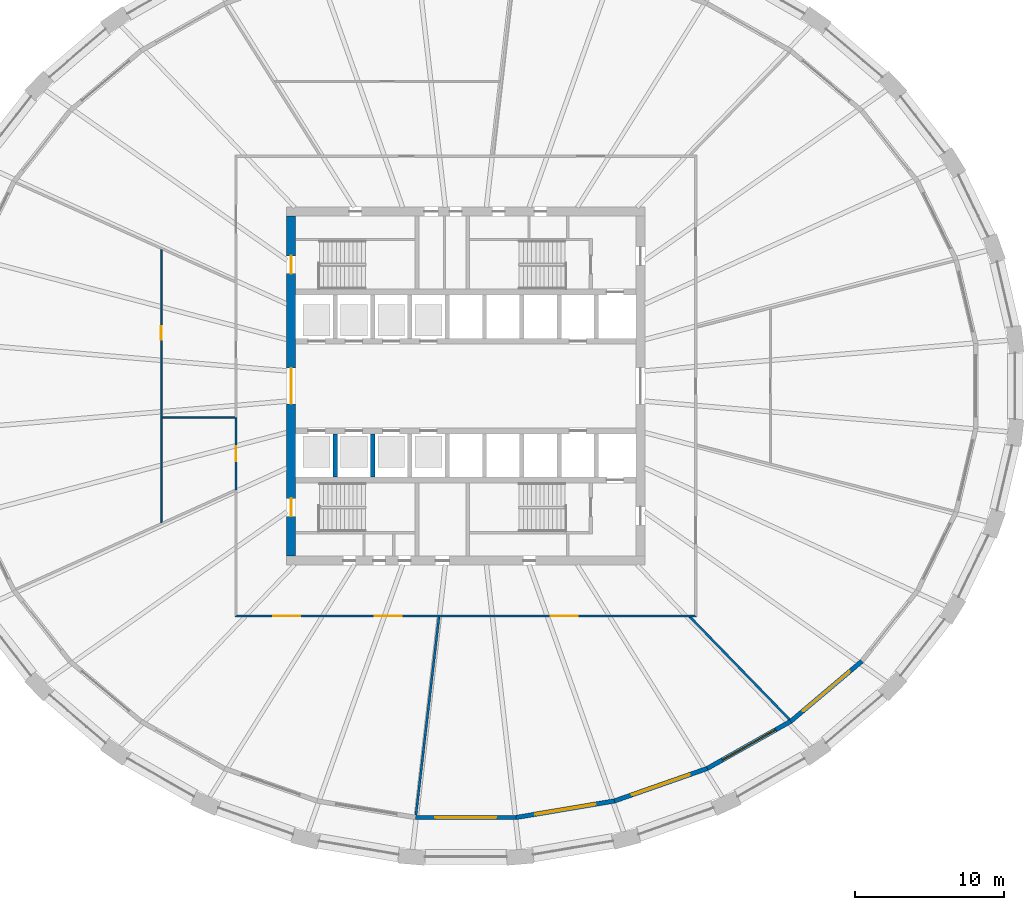
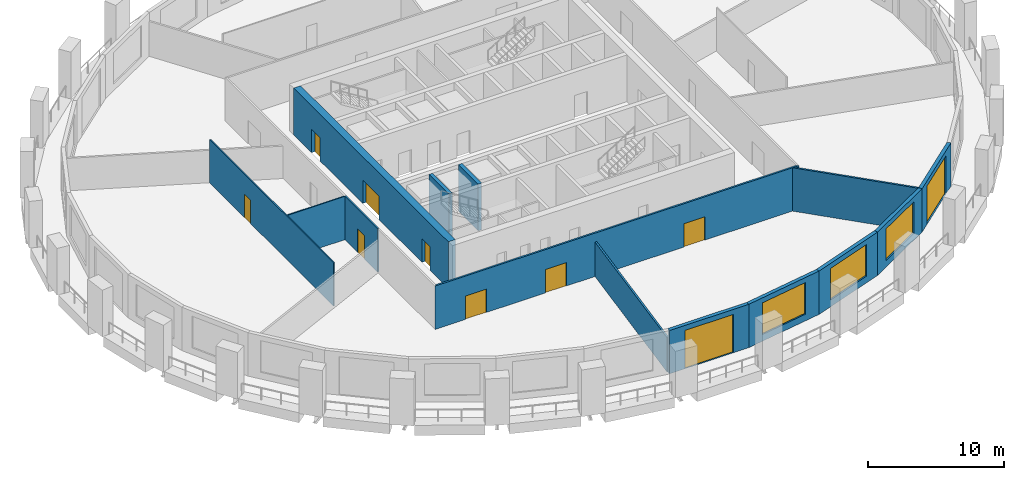
# One storey, part 3 of 10: 14 walls, 10 doors, 3 windows, 13 openings.
"""IFC4 building model written with IfcOpenShell, lengths in metres."""

from ifc_helpers import new_model, si_unit, direction, frame, frame_2d, origin, place, context, subcontext, project, spatial, polyline, rectangle, outline, extrude, material, layer, layer_set, type_object, element, fill, save


model = new_model("IFC4")

# Units and contexts
model_context = context("Model", 3, precision=1e-05, world=origin(), true_north=direction((0.0, 1.0)))
body_context = subcontext(model_context, "Body", "Model", "MODEL_VIEW")
ifc_project = project(units=[si_unit("LENGTHUNIT", "METRE"), si_unit("AREAUNIT", "SQUARE_METRE"), si_unit("VOLUMEUNIT", "CUBIC_METRE"), si_unit("PLANEANGLEUNIT", "RADIAN"), si_unit("MASSUNIT", "GRAM", prefix="KILO")], contexts=[model_context])

# Site, building, storey
site_placement = place(None, origin())
site = spatial("IfcSite", under=ifc_project, at=site_placement, CompositionType="ELEMENT")
building_placement = place(site_placement, origin())
building = spatial("IfcBuilding", under=site, at=building_placement, Name="Halqa Exchange Tower", CompositionType="ELEMENT")
storey_placement = place(building_placement, frame((0.0, 0.0, 61.300048828125)))
storey = spatial("IfcBuildingStorey", under=building, at=storey_placement, Name="L13", CompositionType="ELEMENT", Elevation=61.300048828125)

# Wall, openings, doors
ifc_material_1 = material(Name="Fire-rated gypsum board")
ifc_layer_1 = layer(ifc_material_1, 0.14990234375)
ifc_layer_set_1 = layer_set([ifc_layer_1], Name="Fire-rated gypsum board")
wall_type_1 = type_object("IfcWallType", Name="Fire partition EI 60 150", PredefinedType="PARTITIONING", material=ifc_layer_set_1)
wall_1_placement = place(storey_placement, frame((-15.47509765625, -15.39990234375, 0.0), z_axis=(0.0, 0.0, 1.0), x_axis=(1.0, 0.0, 0.0)))
wall_1 = element("IfcWall", 1, at=wall_1_placement, inside=storey, type_object=wall_type_1, Name="L13-PWL-007", PredefinedType="PARTITIONING", context=body_context, shape_type="SweptSolid", body=[
    extrude(outline(polyline([(0.000244140625, -0.074951171875), (1.9345703125, -0.074951171875), (3.868896484375, -0.074951171875), (5.80322265625, -0.074951171875), (7.73779296875, -0.074951171875), (9.672119140625, -0.074951171875), (11.6064453125, -0.074951171875), (13.540771484375, -0.074951171875), (15.47509765625, -0.074951171875), (17.409423828125, -0.074951171875), (19.34375, -0.074951171875), (21.278076171875, -0.074951171875), (23.21240234375, -0.074951171875), (25.14697265625, -0.074951171875), (27.081298828125, -0.074951171875), (29.015625, -0.074951171875), (30.949951171875, -0.074951171875), (30.800048828125, 0.074951171875), (28.884521484375, 0.074951171875), (26.96875, 0.074951171875), (25.05322265625, 0.074951171875), (23.1376953125, 0.074951171875), (21.221923828125, 0.074951171875), (19.306396484375, 0.074951171875), (17.390625, 0.074951171875), (15.47509765625, 0.074951171875), (13.5595703125, 0.074951171875), (11.643798828125, 0.074951171875), (9.728271484375, 0.074951171875), (7.8125, 0.074951171875), (5.89697265625, 0.074951171875), (3.9814453125, 0.074951171875), (2.065673828125, 0.074951171875), (0.150146484375, 0.074951171875), (0.000244140625, -0.074951171875)])), origin(), (0.0, 0.0, 1.0), 3.89990234375),
])
opening_1_placement = place(wall_1_placement, frame((2.577392578125, 0.0, 0.0)))
opening_1 = element("IfcOpeningElement", 2, at=opening_1_placement, cuts=wall_1, Name="Opening 04-09", PredefinedType="OPENING", context=body_context, shape_type="SweptSolid", body=[
    extrude(rectangle(XDim=1.800048828125, YDim=2.10009765625, at=frame_2d((0.89990234375, 1.050048828125))), frame((0.0, 0.0869140625, 0.0), z_axis=(0.0, -1.0, 0.0), x_axis=(1.0, 0.0, 0.0)), (0.0, 0.0, 1.0), 0.173828125),
])
opening_2_placement = place(wall_1_placement, frame((9.382568359375, 0.0, 0.0)))
opening_2 = element("IfcOpeningElement", 3, at=opening_2_placement, cuts=wall_1, Name="Opening 04-10", PredefinedType="OPENING", context=body_context, shape_type="SweptSolid", body=[
    extrude(rectangle(XDim=1.800048828125, YDim=2.10009765625, at=frame_2d((0.89990234375, 1.050048828125))), frame((0.0, 0.0869140625, 0.0), z_axis=(0.0, -1.0, 0.0), x_axis=(1.0, 0.0, 0.0)), (0.0, 0.0, 1.0), 0.173828125),
])
opening_3_placement = place(wall_1_placement, frame((21.155029296875, 0.0, 0.0)))
opening_3 = element("IfcOpeningElement", 4, at=opening_3_placement, cuts=wall_1, Name="Opening 04-11", PredefinedType="OPENING", context=body_context, shape_type="SweptSolid", body=[
    extrude(rectangle(XDim=1.800048828125, YDim=2.10009765625, at=frame_2d((0.89990234375, 1.050048828125))), frame((0.0, 0.0869140625, 0.0), z_axis=(0.0, -1.0, 0.0), x_axis=(1.0, 0.0, 0.0)), (0.0, 0.0, 1.0), 0.173828125),
])
ifc_material_2 = material(Name="Steel fire door leaf", Category="steel")
door_type_1 = type_object("IfcDoorType", Name="Fire door FD30S double 1800 x 2100", OperationType="DOUBLE_DOOR_SINGLE_SWING", PredefinedType="DOOR", material=ifc_material_2)
door_1_placement = place(opening_1_placement, frame((1.800048828125, 0.0, 0.0), z_axis=(0.0, 0.0, 1.0), x_axis=(-1.0, 0.0, 0.0)))
door_1 = element("IfcDoor", 5, at=door_1_placement, inside=storey, type_object=door_type_1, Name="L13-IDR-009", OperationType="DOUBLE_DOOR_SINGLE_SWING", OverallHeight=2.10009765625, OverallWidth=1.800048828125, PredefinedType="DOOR", context=body_context, shape_type="SweptSolid", body=[
    extrude(rectangle(XDim=1.800048828125, YDim=2.10009765625, at=frame_2d((0.89990234375, 1.050048828125))), frame((0.0, 0.02490234375, 0.0), z_axis=(0.0, -1.0, 0.0), x_axis=(1.0, 0.0, 0.0)), (0.0, 0.0, 1.0), 0.050048828125),
])
fill(opening_1, door_1)
door_2_placement = place(opening_2_placement, frame((1.800048828125, 0.0, 0.0), z_axis=(0.0, 0.0, 1.0), x_axis=(-1.0, 0.0, 0.0)))
door_2 = element("IfcDoor", 6, at=door_2_placement, inside=storey, type_object=door_type_1, Name="L13-IDR-010", OperationType="DOUBLE_DOOR_SINGLE_SWING", OverallHeight=2.10009765625, OverallWidth=1.800048828125, PredefinedType="DOOR", context=body_context, shape_type="SweptSolid", body=[
    extrude(rectangle(XDim=1.800048828125, YDim=2.10009765625, at=frame_2d((0.89990234375, 1.050048828125))), frame((0.0, 0.02490234375, 0.0), z_axis=(0.0, -1.0, 0.0), x_axis=(1.0, 0.0, 0.0)), (0.0, 0.0, 1.0), 0.050048828125),
])
fill(opening_2, door_2)
door_3_placement = place(opening_3_placement, frame((1.800048828125, 0.0, 0.0), z_axis=(0.0, 0.0, 1.0), x_axis=(-1.0, 0.0, 0.0)))
door_3 = element("IfcDoor", 7, at=door_3_placement, inside=storey, type_object=door_type_1, Name="L13-IDR-011", OperationType="DOUBLE_DOOR_SINGLE_SWING", OverallHeight=2.10009765625, OverallWidth=1.800048828125, PredefinedType="DOOR", context=body_context, shape_type="SweptSolid", body=[
    extrude(rectangle(XDim=1.800048828125, YDim=2.10009765625, at=frame_2d((0.89990234375, 1.050048828125))), frame((0.0, 0.02490234375, 0.0), z_axis=(0.0, -1.0, 0.0), x_axis=(1.0, 0.0, 0.0)), (0.0, 0.0, 1.0), 0.050048828125),
])
fill(opening_3, door_3)

# Walls
wall_2_placement = place(storey_placement, frame((-1.7978515625, -15.466552734375, 0.0), z_axis=(0.0, 0.0, 1.0), x_axis=(-0.115696073872, -0.993284661359, 0.0)))
element("IfcWall", 8, at=wall_2_placement, inside=storey, type_object=wall_type_1, Name="L13-PWL-012", PredefinedType="PARTITIONING", context=body_context, shape_type="SweptSolid", body=[
    extrude(outline(polyline([(13.372314453125, -0.074951171875), (13.372314453125, 0.030517578125), (13.3671875, 0.074951171875), (11.45751953125, 0.074951171875), (9.5478515625, 0.074951171875), (7.638427734375, 0.074951171875), (5.728759765625, 0.074951171875), (3.819091796875, 0.074951171875), (1.90966796875, 0.074951171875), (0.0, 0.074951171875), (0.0, 0.072998046875), (0.017333984375, -0.074951171875), (1.925048828125, -0.074951171875), (3.8330078125, -0.074951171875), (5.74072265625, -0.074951171875), (7.648681640625, -0.074951171875), (9.556640625, -0.074951171875), (11.46435546875, -0.074951171875), (13.372314453125, -0.074951171875)])), origin(), (0.0, 0.0, 1.0), 3.099853515625),
])
wall_3_placement = place(storey_placement, frame((21.683349609375, -22.3369140625, 0.0), z_axis=(0.0, 0.0, 1.0), x_axis=(-0.696500320059, 0.71755648151, 0.0)))
element("IfcWall", 9, at=wall_3_placement, inside=storey, type_object=wall_type_1, Name="L13-PWL-019", PredefinedType="PARTITIONING", context=body_context, shape_type="SweptSolid", body=[
    extrude(outline(polyline([(0.0, -0.074951171875), (1.89794921875, -0.074951171875), (3.796142578125, -0.074951171875), (5.694091796875, -0.074951171875), (7.592041015625, -0.074951171875), (9.490234375, -0.074951171875), (9.63525390625, 0.074462890625), (9.63525390625, 0.074951171875), (7.713134765625, 0.074951171875), (5.791015625, 0.074951171875), (3.868896484375, 0.074951171875), (1.946533203125, 0.074951171875), (0.0244140625, 0.074951171875), (0.0048828125, 0.00048828125), (0.0, -0.071533203125), (0.0, -0.074951171875)])), origin(), (0.0, 0.0, 1.0), 3.89990234375),
])

# Wall, opening, door
ifc_material_3 = material(Name="Fire-rated glazing", Category="glass")
ifc_layer_2 = layer(ifc_material_3, 0.1201171875)
ifc_layer_set_2 = layer_set([ifc_layer_2], Name="Fire-rated glazing")
wall_type_2 = type_object("IfcWallType", Name="Glazed fire partition EI 60 120", PredefinedType="PARTITIONING", material=ifc_layer_set_2)
wall_4_placement = place(storey_placement, frame((-15.39990234375, -6.9599609375, 0.0), z_axis=(0.0, 0.0, 1.0), x_axis=(0.0, 1.0, 0.0)))
wall_4 = element("IfcWall", 10, at=wall_4_placement, inside=storey, type_object=wall_type_2, Name="L13-PWL-008", PredefinedType="PARTITIONING", context=body_context, shape_type="SweptSolid", body=[
    extrude(rectangle(XDim=4.83984375, YDim=0.1201171875, at=frame_2d((2.419921875, 0.0))), origin(), (0.0, 0.0, 1.0), 3.89990234375),
])
opening_4_placement = place(wall_4_placement, frame((1.919921875, 0.0, 0.0)))
opening_4 = element("IfcOpeningElement", 11, at=opening_4_placement, cuts=wall_4, Name="Opening 04-07", PredefinedType="OPENING", context=body_context, shape_type="SweptSolid", body=[
    extrude(rectangle(XDim=1.0, YDim=2.10009765625, at=frame_2d((0.5, 1.050048828125))), frame((0.0, 0.072021484375, 0.0), z_axis=(0.0, -1.0, 0.0), x_axis=(1.0, 0.0, 0.0)), (0.0, 0.0, 1.0), 0.14404296875),
])
door_type_2 = type_object("IfcDoorType", Name="Fire door FD30S 1000 x 2100", OperationType="SINGLE_SWING_LEFT", PredefinedType="DOOR", material=ifc_material_2)
door_4_placement = place(opening_4_placement, origin())
door_4 = element("IfcDoor", 12, at=door_4_placement, inside=storey, type_object=door_type_2, Name="L13-IDR-007", OperationType="SINGLE_SWING_RIGHT", OverallHeight=2.10009765625, OverallWidth=1.0, PredefinedType="DOOR", context=body_context, shape_type="SweptSolid", body=[
    extrude(rectangle(XDim=1.0, YDim=2.10009765625, at=frame_2d((0.5, 1.050048828125))), frame((0.0, 0.02490234375, 0.0), z_axis=(0.0, -1.0, 0.0), x_axis=(1.0, 0.0, 0.0)), (0.0, 0.0, 1.0), 0.050048828125),
])
fill(opening_4, door_4)

ifc_material_4 = material(Name="Gypsum board")
ifc_layer_3 = layer(ifc_material_4, 0.10009765625)
ifc_layer_set_3 = layer_set([ifc_layer_3], Name="Gypsum board")
wall_type_3 = type_object("IfcWallType", Name="Partition 100 gypsum", PredefinedType="PARTITIONING", material=ifc_layer_set_3)
wall_5_placement = place(storey_placement, frame((-20.39990234375, -9.158447265625, 0.0), z_axis=(0.0, 0.0, 1.0), x_axis=(0.0, 1.0, 0.0)))
wall_5 = element("IfcWall", 13, at=wall_5_placement, inside=storey, type_object=wall_type_3, Name="L13-PWL-003", PredefinedType="PARTITIONING", context=body_context, shape_type="SweptSolid", body=[
    extrude(outline(polyline([(0.044921875, -0.050048828125), (1.78076171875, -0.050048828125), (3.5166015625, -0.050048828125), (5.252685546875, -0.050048828125), (6.988525390625, -0.050048828125), (6.988525390625, -0.0498046875), (7.08837890625, -0.0498046875), (7.08837890625, -0.050048828125), (8.952392578125, -0.050048828125), (10.81640625, -0.050048828125), (12.68017578125, -0.050048828125), (14.544189453125, -0.050048828125), (16.407958984375, -0.050048828125), (18.27197265625, -0.050048828125), (18.31689453125, 0.04931640625), (18.31689453125, 0.050048828125), (16.485107421875, 0.050048828125), (14.653564453125, 0.050048828125), (12.82177734375, 0.050048828125), (10.990234375, 0.050048828125), (9.158447265625, 0.050048828125), (7.32666015625, 0.050048828125), (5.4951171875, 0.050048828125), (3.663330078125, 0.050048828125), (1.831787109375, 0.050048828125), (0.0, 0.050048828125), (0.0, 0.04931640625), (0.044921875, -0.050048828125)])), origin(), (0.0, 0.0, 1.0), 3.89990234375),
])
opening_5_placement = place(wall_5_placement, frame((12.258544921875, 0.0, 0.0)))
opening_5 = element("IfcOpeningElement", 14, at=opening_5_placement, cuts=wall_5, Name="Opening 04-14", PredefinedType="OPENING", context=body_context, shape_type="SweptSolid", body=[
    extrude(rectangle(XDim=0.89990234375, YDim=2.10009765625, at=frame_2d((0.449951171875, 1.050048828125))), frame((0.0, 0.06201171875, 0.0), z_axis=(0.0, -1.0, 0.0), x_axis=(1.0, 0.0, 0.0)), (0.0, 0.0, 1.0), 0.1240234375),
])
ifc_material_5 = material(Name="Timber door leaf", Category="wood")
door_type_3 = type_object("IfcDoorType", Name="Door 900 x 2100", OperationType="SINGLE_SWING_LEFT", PredefinedType="DOOR", material=ifc_material_5)
door_5_placement = place(opening_5_placement, frame((0.89990234375, 0.0, 0.0), z_axis=(0.0, 0.0, 1.0), x_axis=(-1.0, 0.0, 0.0)))
door_5 = element("IfcDoor", 15, at=door_5_placement, inside=storey, type_object=door_type_3, Name="L13-IDR-014", OperationType="SINGLE_SWING_RIGHT", OverallHeight=2.10009765625, OverallWidth=0.89990234375, PredefinedType="DOOR", context=body_context, shape_type="SweptSolid", body=[
    extrude(rectangle(XDim=0.89990234375, YDim=2.10009765625, at=frame_2d((0.449951171875, 1.050048828125))), frame((0.0, 0.02490234375, 0.0), z_axis=(0.0, -1.0, 0.0), x_axis=(1.0, 0.0, 0.0)), (0.0, 0.0, 1.0), 0.050048828125),
])
fill(opening_5, door_5)

# Walls
wall_6_placement = place(storey_placement, frame((-20.35009765625, -2.1201171875, 0.0), z_axis=(0.0, 0.0, 1.0), x_axis=(1.0, 0.0, 0.0)))
element("IfcWall", 16, at=wall_6_placement, inside=storey, type_object=wall_type_3, Name="L13-PWL-004", PredefinedType="PARTITIONING", context=body_context, shape_type="SweptSolid", body=[
    extrude(outline(polyline([(4.8896484375, -0.050048828125), (4.8896484375, 0.0), (4.875, 0.0), (4.875, 0.050048828125), (3.25, 0.050048828125), (1.625, 0.050048828125), (0.0, 0.050048828125), (0.0, -0.050048828125), (1.6298828125, -0.050048828125), (3.259765625, -0.050048828125), (4.8896484375, -0.050048828125)])), origin(), (0.0, 0.0, 1.0), 3.89990234375),
])
ifc_material_6 = material(Name="Concrete C60/75", Category="concrete")
ifc_layer_4 = layer(ifc_material_6, 0.300048828125)
ifc_layer_set_4 = layer_set([ifc_layer_4], Name="Concrete C60/75")
wall_type_4 = type_object("IfcWallType", Name="RC core wall 300", PredefinedType="SHEAR", material=ifc_layer_set_4)
for number, where, z_axis, x_axis, name in (
    (17, (-8.75, -6.10009765625, 0.0), (0.0, 0.0, 1.0), (0.0, 1.0, 0.0), "Shaft divider S1"),
    (18, (-6.25, -6.10009765625, 0.0), (0.0, 0.0, 1.0), (0.0, 1.0, 0.0), "Shaft divider S2"),
):
    element("IfcWall", number, at=place(storey_placement, frame(where, z_axis=z_axis, x_axis=x_axis)), inside=storey, type_object=wall_type_4, Name=name, PredefinedType="SHEAR", context=body_context, shape_type="SweptSolid", body=[
        extrude(rectangle(XDim=2.900146484375, YDim=0.300048828125, at=frame_2d((1.4501953125, 0.0))), origin(), (0.0, 0.0, 1.0), 4.199951171875),
    ])

# Wall, openings, doors
ifc_material_7 = material(Name="Concrete C80/95", Category="concrete")
ifc_layer_5 = layer(ifc_material_7, 0.60009765625)
ifc_layer_set_5 = layer_set([ifc_layer_5], Name="Concrete C80/95")
wall_type_5 = type_object("IfcWallType", Name="RC core wall 600 C80/95", PredefinedType="SHEAR", material=ifc_layer_set_5)
wall_7_placement = place(storey_placement, frame((-11.699951171875, -11.39990234375, 0.0), z_axis=(0.0, 0.0, 1.0), x_axis=(0.0, 1.0, 0.0)))
wall_7 = element("IfcWall", 19, at=wall_7_placement, inside=storey, type_object=wall_type_5, Name="Core wall west", PredefinedType="SHEAR", context=body_context, shape_type="SweptSolid", body=[
    extrude(rectangle(XDim=22.7998046875, YDim=0.60009765625, at=frame_2d((11.39990234375, 0.0))), origin(), (0.0, 0.0, 1.0), 4.199951171875),
])
opening_6_placement = place(wall_7_placement, frame((10.199951171875, 0.0, 0.0)))
opening_6 = element("IfcOpeningElement", 20, at=opening_6_placement, cuts=wall_7, Name="Opening T04-C13", PredefinedType="OPENING", context=body_context, shape_type="SweptSolid", body=[
    extrude(rectangle(XDim=2.39990234375, YDim=2.10009765625, at=frame_2d((1.199951171875, 1.050048828125))), frame((0.0, 0.31201171875, 0.0), z_axis=(0.0, -1.0, 0.0), x_axis=(1.0, 0.0, 0.0)), (0.0, 0.0, 1.0), 0.6240234375),
])
opening_7_placement = place(wall_7_placement, frame((18.925048828125, 0.0, 0.0)))
opening_7 = element("IfcOpeningElement", 21, at=opening_7_placement, cuts=wall_7, Name="Opening T04-C15", PredefinedType="OPENING", context=body_context, shape_type="SweptSolid", body=[
    extrude(rectangle(XDim=1.199951171875, YDim=2.10009765625, at=frame_2d((0.60009765625, 1.050048828125))), frame((0.0, 0.31201171875, 0.0), z_axis=(0.0, -1.0, 0.0), x_axis=(1.0, 0.0, 0.0)), (0.0, 0.0, 1.0), 0.6240234375),
])
opening_8_placement = place(wall_7_placement, frame((2.675048828125, 0.0, 0.0)))
opening_8 = element("IfcOpeningElement", 22, at=opening_8_placement, cuts=wall_7, Name="Opening T04-C17", PredefinedType="OPENING", context=body_context, shape_type="SweptSolid", body=[
    extrude(rectangle(XDim=1.199951171875, YDim=2.10009765625, at=frame_2d((0.60009765625, 1.050048828125))), frame((0.0, 0.31201171875, 0.0), z_axis=(0.0, -1.0, 0.0), x_axis=(1.0, 0.0, 0.0)), (0.0, 0.0, 1.0), 0.6240234375),
])
door_type_4 = type_object("IfcDoorType", Name="Lobby double door FD60 2400 x 2100", OperationType="DOUBLE_DOOR_SINGLE_SWING", PredefinedType="DOOR", material=ifc_material_2)
door_6_placement = place(opening_6_placement, frame((2.39990234375, 0.0, 0.0), z_axis=(0.0, 0.0, 1.0), x_axis=(-1.0, 0.0, 0.0)))
door_6 = element("IfcDoor", 23, at=door_6_placement, inside=storey, type_object=door_type_4, Name="Lift lobby double door", OperationType="DOUBLE_DOOR_SINGLE_SWING", OverallHeight=2.10009765625, OverallWidth=2.39990234375, PredefinedType="DOOR", context=body_context, shape_type="SweptSolid", body=[
    extrude(rectangle(XDim=2.39990234375, YDim=2.10009765625, at=frame_2d((1.199951171875, 1.050048828125))), frame((0.0, 0.02490234375, 0.0), z_axis=(0.0, -1.0, 0.0), x_axis=(1.0, 0.0, 0.0)), (0.0, 0.0, 1.0), 0.050048828125),
])
fill(opening_6, door_6)
door_type_5 = type_object("IfcDoorType", Name="Stair door FD90 1200 x 2100", OperationType="SINGLE_SWING_LEFT", PredefinedType="DOOR", material=ifc_material_2)
door_7_placement = place(opening_7_placement, frame((1.199951171875, 0.0, 0.0), z_axis=(0.0, 0.0, 1.0), x_axis=(-1.0, 0.0, 0.0)))
door_7 = element("IfcDoor", 24, at=door_7_placement, inside=storey, type_object=door_type_5, Name="Stair door ST1", OperationType="SINGLE_SWING_LEFT", OverallHeight=2.10009765625, OverallWidth=1.199951171875, PredefinedType="DOOR", context=body_context, shape_type="SweptSolid", body=[
    extrude(rectangle(XDim=1.199951171875, YDim=2.10009765625, at=frame_2d((0.60009765625, 1.050048828125))), frame((0.0, 0.02490234375, 0.0), z_axis=(0.0, -1.0, 0.0), x_axis=(1.0, 0.0, 0.0)), (0.0, 0.0, 1.0), 0.050048828125),
])
fill(opening_7, door_7)
door_8_placement = place(opening_8_placement, frame((1.199951171875, 0.0, 0.0), z_axis=(0.0, 0.0, 1.0), x_axis=(-1.0, 0.0, 0.0)))
door_8 = element("IfcDoor", 25, at=door_8_placement, inside=storey, type_object=door_type_5, Name="Stair door ST3", OperationType="SINGLE_SWING_LEFT", OverallHeight=2.10009765625, OverallWidth=1.199951171875, PredefinedType="DOOR", context=body_context, shape_type="SweptSolid", body=[
    extrude(rectangle(XDim=1.199951171875, YDim=2.10009765625, at=frame_2d((0.60009765625, 1.050048828125))), frame((0.0, 0.02490234375, 0.0), z_axis=(0.0, -1.0, 0.0), x_axis=(1.0, 0.0, 0.0)), (0.0, 0.0, 1.0), 0.050048828125),
])
fill(opening_8, door_8)

# Wall, opening, door
ifc_material_8 = material(Name="Limestone cladding", Category="masonry")
ifc_layer_6 = layer(ifc_material_8, 0.0400390625)
ifc_material_9 = material(Name="Ventilated cavity")
ifc_layer_7 = layer(ifc_material_9, 0.030029296875, ventilated=True)
ifc_material_10 = material(Name="Mineral wool insulation")
ifc_layer_8 = layer(ifc_material_10, 0.10009765625)
ifc_material_11 = material(Name="Concrete C30/37", Category="concrete")
ifc_layer_9 = layer(ifc_material_11, 0.10009765625)
ifc_material_12 = material(Name="Internal plaster")
ifc_layer_10 = layer(ifc_material_12, 0.030029296875)
ifc_layer_set_6 = layer_set([ifc_layer_6, ifc_layer_7, ifc_layer_8, ifc_layer_9, ifc_layer_10], Name="Stone-faced insulated wall 300")
wall_type_6 = type_object("IfcWallType", Name="Stone-faced insulated wall 300", PredefinedType="STANDARD", material=ifc_layer_set_6)
wall_8_placement = place(storey_placement, frame((-3.362060546875, -28.902587890625, 0.0), z_axis=(0.0, 0.0, 1.0), x_axis=(1.0, 0.0, 0.0)))
wall_8 = element("IfcWall", 26, at=wall_8_placement, inside=storey, type_object=wall_type_6, Name="Glass-line wall 24", PredefinedType="STANDARD", context=body_context, shape_type="SweptSolid", body=[
    extrude(outline(polyline([(-0.012451171875, -0.14990234375), (6.736572265625, -0.14990234375), (6.711669921875, 0.14990234375), (0.012451171875, 0.14990234375), (-0.012451171875, -0.14990234375)])), origin(), (0.0, 0.0, 1.0), 3.89990234375),
])
opening_9_placement = place(wall_8_placement, frame((1.31201171875, 0.0, 0.0)))
opening_9 = element("IfcOpeningElement", 27, at=opening_9_placement, cuts=wall_8, Name="Opening LG-F1-06", PredefinedType="OPENING", context=body_context, shape_type="SweptSolid", body=[
    extrude(rectangle(XDim=4.10009765625, YDim=3.449951171875, at=frame_2d((2.050048828125, 1.72509765625))), frame((0.0, 0.162109375, 0.0), z_axis=(0.0, -1.0, 0.0), x_axis=(1.0, 0.0, 0.0)), (0.0, 0.0, 1.0), 0.323974609375),
])
ifc_material_13 = material(Name="Clear low-emissivity glass in aluminium frame", Category="aluminium")
door_type_6 = type_object("IfcDoorType", Name="Glazed sliding loggia door 4100 x 3450", OperationType="DOUBLE_DOOR_SLIDING", PredefinedType="DOOR", material=ifc_material_13)
door_9_placement = place(opening_9_placement, origin())
door_9 = element("IfcDoor", 28, at=door_9_placement, inside=storey, type_object=door_type_6, Name="Loggia door 6", OperationType="DOUBLE_DOOR_SLIDING", OverallHeight=3.449951171875, OverallWidth=4.10009765625, PredefinedType="DOOR", context=body_context, shape_type="SweptSolid", body=[
    extrude(rectangle(XDim=4.10009765625, YDim=3.449951171875, at=frame_2d((2.050048828125, 1.72509765625))), frame((0.0, 0.02490234375, 0.0), z_axis=(0.0, -1.0, 0.0), x_axis=(1.0, 0.0, 0.0)), (0.0, 0.0, 1.0), 0.050048828125),
])
fill(opening_9, door_9)

# Wall, opening, window
wall_9_placement = place(storey_placement, frame((3.362060546875, -28.902587890625, 0.0), z_axis=(0.0, 0.0, 1.0), x_axis=(0.986153133093, 0.165837263877, 0.0)))
wall_9 = element("IfcWall", 29, at=wall_9_placement, inside=storey, type_object=wall_type_6, Name="Glass-line wall 25", PredefinedType="STANDARD", context=body_context, shape_type="SweptSolid", body=[
    extrude(outline(polyline([(-0.012451171875, -0.14990234375), (6.70068359375, -0.14990234375), (6.67529296875, 0.14990234375), (0.012451171875, 0.14990234375), (-0.012451171875, -0.14990234375)])), origin(), (0.0, 0.0, 1.0), 3.89990234375),
])
opening_10_placement = place(wall_9_placement, frame((1.294189453125, 0.0, 0.60009765625)))
opening_10 = element("IfcOpeningElement", 30, at=opening_10_placement, cuts=wall_9, Name="Opening W-F1-25", PredefinedType="OPENING", context=body_context, shape_type="SweptSolid", body=[
    extrude(rectangle(XDim=4.10009765625, YDim=2.85009765625, at=frame_2d((2.050048828125, 1.425048828125))), frame((0.0, 0.162109375, 0.0), z_axis=(0.0, -1.0, 0.0), x_axis=(1.0, 0.0, 0.0)), (0.0, 0.0, 1.0), 0.323974609375),
])
window_type = type_object("IfcWindowType", Name="Fixed clear glazed window 4100 x 2850", PartitioningType="TRIPLE_PANEL_VERTICAL", PredefinedType="WINDOW", material=ifc_material_13)
window_1_placement = place(opening_10_placement, origin())
window_1 = element("IfcWindow", 31, at=window_1_placement, inside=storey, type_object=window_type, Name="Window 1", OverallHeight=2.85009765625, OverallWidth=4.10009765625, PartitioningType="TRIPLE_PANEL_VERTICAL", PredefinedType="WINDOW", context=body_context, shape_type="SweptSolid", body=[
    extrude(rectangle(XDim=4.10009765625, YDim=2.85009765625, at=frame_2d((2.050048828125, 1.425048828125))), frame((0.0, 0.030029296875, 0.0), z_axis=(0.0, -1.0, 0.0), x_axis=(1.0, 0.0, 0.0)), (0.0, 0.0, 1.0), 0.06005859375),
])
fill(opening_10, window_1)

wall_10_placement = place(storey_placement, frame((9.95751953125, -27.79345703125, 0.0), z_axis=(0.0, 0.0, 1.0), x_axis=(0.94380689486, 0.330497420889, 0.0)))
wall_10 = element("IfcWall", 32, at=wall_10_placement, inside=storey, type_object=wall_type_6, Name="Glass-line wall 26", PredefinedType="STANDARD", context=body_context, shape_type="SweptSolid", body=[
    extrude(outline(polyline([(-0.0126953125, -0.14990234375), (6.597412109375, -0.14990234375), (6.570556640625, 0.14990234375), (0.0126953125, 0.14990234375), (-0.0126953125, -0.14990234375)])), origin(), (0.0, 0.0, 1.0), 3.89990234375),
])
opening_11_placement = place(wall_10_placement, frame((1.241943359375, 0.0, 0.60009765625)))
opening_11 = element("IfcOpeningElement", 33, at=opening_11_placement, cuts=wall_10, Name="Opening W-F1-26", PredefinedType="OPENING", context=body_context, shape_type="SweptSolid", body=[
    extrude(rectangle(XDim=4.10009765625, YDim=2.85009765625, at=frame_2d((2.050048828125, 1.425048828125))), frame((0.0, 0.162109375, 0.0), z_axis=(0.0, -1.0, 0.0), x_axis=(1.0, 0.0, 0.0)), (0.0, 0.0, 1.0), 0.323974609375),
])
window_2_placement = place(opening_11_placement, origin())
window_2 = element("IfcWindow", 34, at=window_2_placement, inside=storey, type_object=window_type, Name="Window 1", OverallHeight=2.85009765625, OverallWidth=4.10009765625, PartitioningType="TRIPLE_PANEL_VERTICAL", PredefinedType="WINDOW", context=body_context, shape_type="SweptSolid", body=[
    extrude(rectangle(XDim=4.10009765625, YDim=2.85009765625, at=frame_2d((2.050048828125, 1.425048828125))), frame((0.0, 0.030029296875, 0.0), z_axis=(0.0, -1.0, 0.0), x_axis=(1.0, 0.0, 0.0)), (0.0, 0.0, 1.0), 0.06005859375),
])
fill(opening_11, window_2)

wall_11_placement = place(storey_placement, frame((16.171630859375, -25.617431640625, 0.0), z_axis=(0.0, 0.0, 1.0), x_axis=(0.870673928577, 0.491860661262, 0.0)))
wall_11 = element("IfcWall", 35, at=wall_11_placement, inside=storey, type_object=wall_type_6, Name="Glass-line wall 27", PredefinedType="STANDARD", context=body_context, shape_type="SweptSolid", body=[
    extrude(outline(polyline([(-0.013427734375, -0.14990234375), (6.43896484375, -0.14990234375), (6.41064453125, 0.14990234375), (0.013427734375, 0.14990234375), (-0.013427734375, -0.14990234375)])), origin(), (0.0, 0.0, 1.0), 3.89990234375),
])
opening_12_placement = place(wall_11_placement, frame((1.16259765625, 0.0, 0.60009765625)))
opening_12 = element("IfcOpeningElement", 36, at=opening_12_placement, cuts=wall_11, Name="Opening W-F1-27", PredefinedType="OPENING", context=body_context, shape_type="SweptSolid", body=[
    extrude(rectangle(XDim=4.10009765625, YDim=2.85009765625, at=frame_2d((2.050048828125, 1.425048828125))), frame((0.0, 0.162109375, 0.0), z_axis=(0.0, -1.0, 0.0), x_axis=(1.0, 0.0, 0.0)), (0.0, 0.0, 1.0), 0.323974609375),
])
window_3_placement = place(opening_12_placement, origin())
window_3 = element("IfcWindow", 37, at=window_3_placement, inside=storey, type_object=window_type, Name="Window 1", OverallHeight=2.85009765625, OverallWidth=4.10009765625, PartitioningType="TRIPLE_PANEL_VERTICAL", PredefinedType="WINDOW", context=body_context, shape_type="SweptSolid", body=[
    extrude(rectangle(XDim=4.10009765625, YDim=2.85009765625, at=frame_2d((2.050048828125, 1.425048828125))), frame((0.0, 0.030029296875, 0.0), z_axis=(0.0, -1.0, 0.0), x_axis=(1.0, 0.0, 0.0)), (0.0, 0.0, 1.0), 0.06005859375),
])
fill(opening_12, window_3)

# Wall, opening, door
wall_12_placement = place(storey_placement, frame((21.765625, -22.457275390625, 0.0), z_axis=(0.0, 0.0, 1.0), x_axis=(0.763655167989, 0.645624336905, 0.0)))
wall_12 = element("IfcWall", 38, at=wall_12_placement, inside=storey, type_object=wall_type_6, Name="Glass-line wall 28", PredefinedType="STANDARD", context=body_context, shape_type="SweptSolid", body=[
    extrude(outline(polyline([(-0.01416015625, -0.14990234375), (6.247314453125, -0.14990234375), (6.217041015625, 0.14990234375), (0.01416015625, 0.14990234375), (-0.01416015625, -0.14990234375)])), origin(), (0.0, 0.0, 1.0), 3.89990234375),
])
opening_13_placement = place(wall_12_placement, frame((1.066162109375, 0.0, 0.0)))
opening_13 = element("IfcOpeningElement", 39, at=opening_13_placement, cuts=wall_12, Name="Opening LG-F1-07", PredefinedType="OPENING", context=body_context, shape_type="SweptSolid", body=[
    extrude(rectangle(XDim=4.10009765625, YDim=3.449951171875, at=frame_2d((2.050048828125, 1.72509765625))), frame((0.0, 0.162109375, 0.0), z_axis=(0.0, -1.0, 0.0), x_axis=(1.0, 0.0, 0.0)), (0.0, 0.0, 1.0), 0.323974609375),
])
door_10_placement = place(opening_13_placement, origin())
door_10 = element("IfcDoor", 40, at=door_10_placement, inside=storey, type_object=door_type_6, Name="Loggia door 7", OperationType="DOUBLE_DOOR_SLIDING", OverallHeight=3.449951171875, OverallWidth=4.10009765625, PredefinedType="DOOR", context=body_context, shape_type="SweptSolid", body=[
    extrude(rectangle(XDim=4.10009765625, YDim=3.449951171875, at=frame_2d((2.050048828125, 1.72509765625))), frame((0.0, 0.02490234375, 0.0), z_axis=(0.0, -1.0, 0.0), x_axis=(1.0, 0.0, 0.0)), (0.0, 0.0, 1.0), 0.050048828125),
])
fill(opening_13, door_10)

save(model, "model.ifc")
